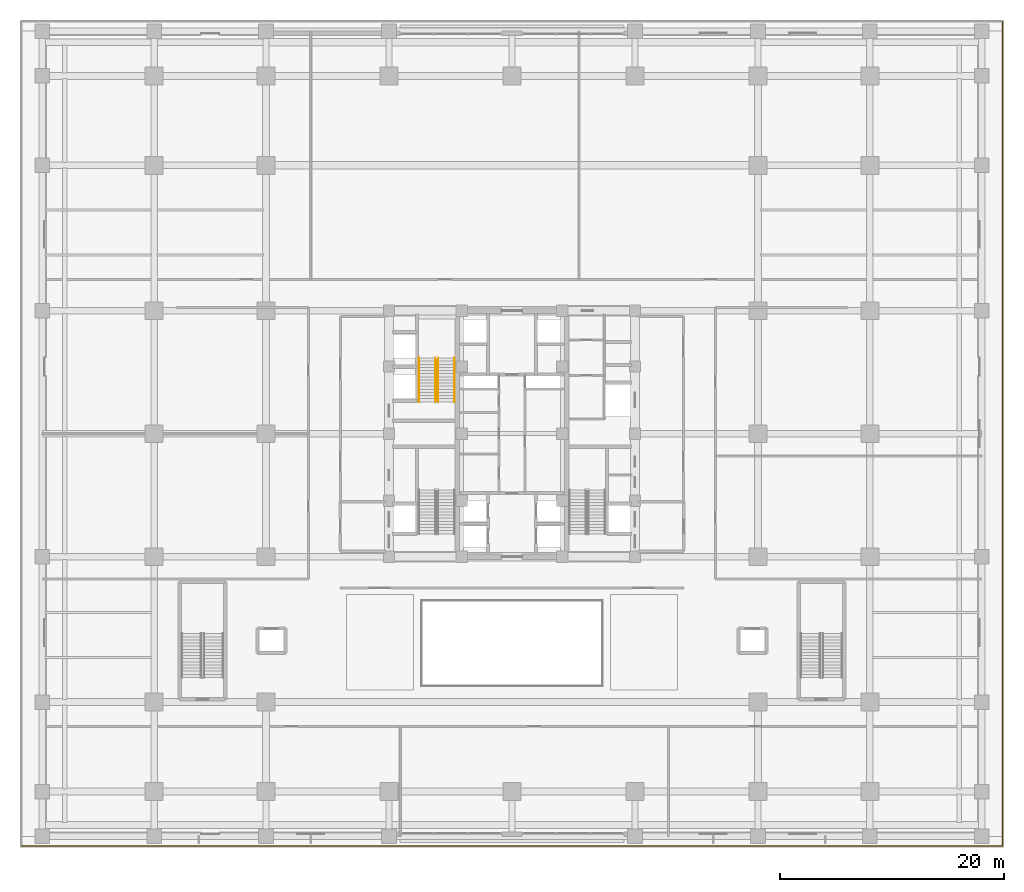
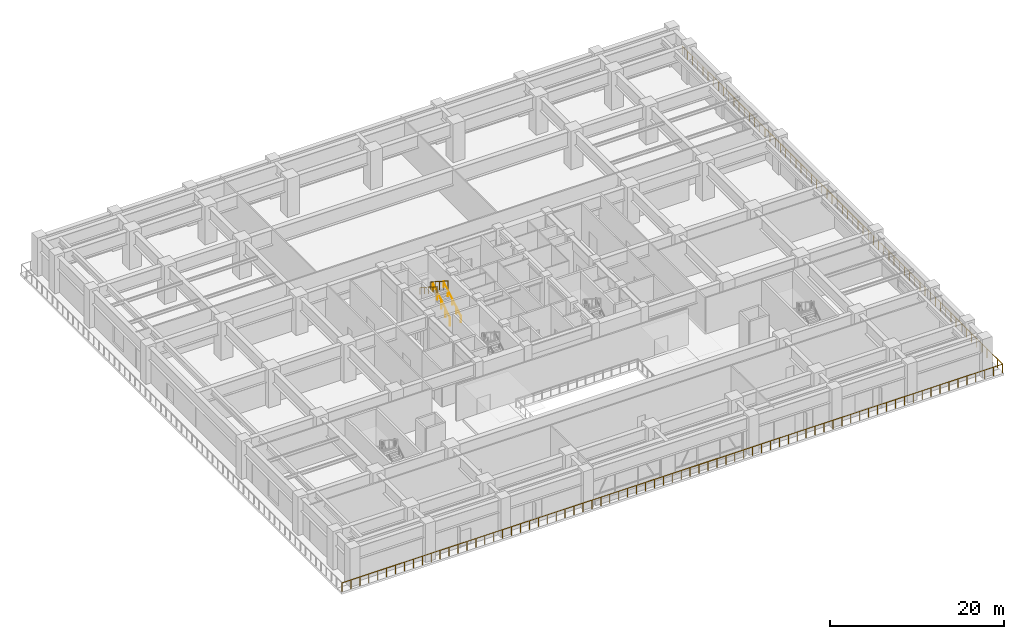
# One storey, part 26 of 28: 5 railings.
"""IFC4 building model written with IfcOpenShell, lengths in metres."""

from ifc_helpers import new_model, si_unit, direction, frame, origin, origin_2d, place, context, subcontext, project, spatial, circle, extrude, source, transform, mapped, material, type_object, element, save


model = new_model("IFC4")

# Units and contexts
model_context = context("Model", 3, precision=1e-05, world=origin(), true_north=direction((0.0, 1.0)))
body_context = subcontext(model_context, "Body", "Model", "MODEL_VIEW")
ifc_project = project(units=[si_unit("LENGTHUNIT", "METRE"), si_unit("AREAUNIT", "SQUARE_METRE"), si_unit("VOLUMEUNIT", "CUBIC_METRE"), si_unit("PLANEANGLEUNIT", "RADIAN"), si_unit("MASSUNIT", "GRAM", prefix="KILO")], contexts=[model_context])

# Site, building, storey
site_placement = place(None, origin())
site = spatial("IfcSite", under=ifc_project, at=site_placement, CompositionType="ELEMENT")
building_placement = place(site_placement, origin())
building = spatial("IfcBuilding", under=site, at=building_placement, Name="Khorayat Bourse Tower", CompositionType="ELEMENT")
storey_placement = place(building_placement, frame((0.0, 0.0, 12.0)))
storey = spatial("IfcBuildingStorey", under=building, at=storey_placement, Name="L02", CompositionType="ELEMENT", Elevation=12.0)

# Railings
ifc_material_1 = material(Name="Laminated glass and bronze balustrade", Category="glass")
railing_type_1 = type_object("IfcRailingType", Name="RLG-TERR-1250", PredefinedType="GUARDRAIL", material=ifc_material_1)
shared_shape_1 = source(origin(), body_context, "Body", "SweptSolid", [
    extrude(circle(Radius=0.02392578125, at=origin_2d()), frame((0.0, 0.0, 1.22607421875), z_axis=(1.0, 0.0, 0.0), x_axis=(0.0, 1.0, 0.0)), (0.0, 0.0, 1.0), 87.759765625),
    extrude(circle(Radius=0.02392578125, at=origin_2d()), frame((87.759765625, 0.0, 1.22607421875), z_axis=(0.0, 1.0, 0.0), x_axis=(-1.0, 0.0, 0.0)), (0.0, 0.0, 1.0), 73.699951171875),
    extrude(circle(Radius=0.02099609375, at=origin_2d()), origin(), (0.0, 0.0, 1.0), 1.201904296875),
    extrude(circle(Radius=0.02099609375, at=origin_2d()), frame((1.18603515625, 0.0, 0.0)), (0.0, 0.0, 1.0), 1.201904296875),
    extrude(circle(Radius=0.02099609375, at=origin_2d()), frame((2.371826171875, 0.0, 0.0)), (0.0, 0.0, 1.0), 1.201904296875),
    extrude(circle(Radius=0.02099609375, at=origin_2d()), frame((3.557861328125, 0.0, 0.0)), (0.0, 0.0, 1.0), 1.201904296875),
    extrude(circle(Radius=0.02099609375, at=origin_2d()), frame((4.74365234375, 0.0, 0.0)), (0.0, 0.0, 1.0), 1.201904296875),
    extrude(circle(Radius=0.02099609375, at=origin_2d()), frame((5.9296875, 0.0, 0.0)), (0.0, 0.0, 1.0), 1.201904296875),
    extrude(circle(Radius=0.02099609375, at=origin_2d()), frame((7.11572265625, 0.0, 0.0)), (0.0, 0.0, 1.0), 1.201904296875),
    extrude(circle(Radius=0.02099609375, at=origin_2d()), frame((8.301513671875, 0.0, 0.0)), (0.0, 0.0, 1.0), 1.201904296875),
    extrude(circle(Radius=0.02099609375, at=origin_2d()), frame((9.487548828125, 0.0, 0.0)), (0.0, 0.0, 1.0), 1.201904296875),
    extrude(circle(Radius=0.02099609375, at=origin_2d()), frame((10.673583984375, 0.0, 0.0)), (0.0, 0.0, 1.0), 1.201904296875),
    extrude(circle(Radius=0.02099609375, at=origin_2d()), frame((11.859375, 0.0, 0.0)), (0.0, 0.0, 1.0), 1.201904296875),
    extrude(circle(Radius=0.02099609375, at=origin_2d()), frame((13.04541015625, 0.0, 0.0)), (0.0, 0.0, 1.0), 1.201904296875),
    extrude(circle(Radius=0.02099609375, at=origin_2d()), frame((14.231201171875, 0.0, 0.0)), (0.0, 0.0, 1.0), 1.201904296875),
    extrude(circle(Radius=0.02099609375, at=origin_2d()), frame((15.417236328125, 0.0, 0.0)), (0.0, 0.0, 1.0), 1.201904296875),
    extrude(circle(Radius=0.02099609375, at=origin_2d()), frame((16.603271484375, 0.0, 0.0)), (0.0, 0.0, 1.0), 1.201904296875),
    extrude(circle(Radius=0.02099609375, at=origin_2d()), frame((17.7890625, 0.0, 0.0)), (0.0, 0.0, 1.0), 1.201904296875),
    extrude(circle(Radius=0.02099609375, at=origin_2d()), frame((18.97509765625, 0.0, 0.0)), (0.0, 0.0, 1.0), 1.201904296875),
    extrude(circle(Radius=0.02099609375, at=origin_2d()), frame((20.1611328125, 0.0, 0.0)), (0.0, 0.0, 1.0), 1.201904296875),
    extrude(circle(Radius=0.02099609375, at=origin_2d()), frame((21.346923828125, 0.0, 0.0)), (0.0, 0.0, 1.0), 1.201904296875),
    extrude(circle(Radius=0.02099609375, at=origin_2d()), frame((22.532958984375, 0.0, 0.0)), (0.0, 0.0, 1.0), 1.201904296875),
    extrude(circle(Radius=0.02099609375, at=origin_2d()), frame((23.71875, 0.0, 0.0)), (0.0, 0.0, 1.0), 1.201904296875),
    extrude(circle(Radius=0.02099609375, at=origin_2d()), frame((24.90478515625, 0.0, 0.0)), (0.0, 0.0, 1.0), 1.201904296875),
    extrude(circle(Radius=0.02099609375, at=origin_2d()), frame((26.0908203125, 0.0, 0.0)), (0.0, 0.0, 1.0), 1.201904296875),
    extrude(circle(Radius=0.02099609375, at=origin_2d()), frame((27.276611328125, 0.0, 0.0)), (0.0, 0.0, 1.0), 1.201904296875),
    extrude(circle(Radius=0.02099609375, at=origin_2d()), frame((28.462646484375, 0.0, 0.0)), (0.0, 0.0, 1.0), 1.201904296875),
    extrude(circle(Radius=0.02099609375, at=origin_2d()), frame((29.648681640625, 0.0, 0.0)), (0.0, 0.0, 1.0), 1.201904296875),
    extrude(circle(Radius=0.02099609375, at=origin_2d()), frame((30.83447265625, 0.0, 0.0)), (0.0, 0.0, 1.0), 1.201904296875),
    extrude(circle(Radius=0.02099609375, at=origin_2d()), frame((32.0205078125, 0.0, 0.0)), (0.0, 0.0, 1.0), 1.201904296875),
    extrude(circle(Radius=0.02099609375, at=origin_2d()), frame((33.206298828125, 0.0, 0.0)), (0.0, 0.0, 1.0), 1.201904296875),
    extrude(circle(Radius=0.02099609375, at=origin_2d()), frame((34.392333984375, 0.0, 0.0)), (0.0, 0.0, 1.0), 1.201904296875),
    extrude(circle(Radius=0.02099609375, at=origin_2d()), frame((35.578369140625, 0.0, 0.0)), (0.0, 0.0, 1.0), 1.201904296875),
    extrude(circle(Radius=0.02099609375, at=origin_2d()), frame((36.76416015625, 0.0, 0.0)), (0.0, 0.0, 1.0), 1.201904296875),
    extrude(circle(Radius=0.02099609375, at=origin_2d()), frame((37.9501953125, 0.0, 0.0)), (0.0, 0.0, 1.0), 1.201904296875),
    extrude(circle(Radius=0.02099609375, at=origin_2d()), frame((39.13623046875, 0.0, 0.0)), (0.0, 0.0, 1.0), 1.201904296875),
    extrude(circle(Radius=0.02099609375, at=origin_2d()), frame((40.322021484375, 0.0, 0.0)), (0.0, 0.0, 1.0), 1.201904296875),
    extrude(circle(Radius=0.02099609375, at=origin_2d()), frame((41.508056640625, 0.0, 0.0)), (0.0, 0.0, 1.0), 1.201904296875),
    extrude(circle(Radius=0.02099609375, at=origin_2d()), frame((42.69384765625, 0.0, 0.0)), (0.0, 0.0, 1.0), 1.201904296875),
    extrude(circle(Radius=0.02099609375, at=origin_2d()), frame((43.8798828125, 0.0, 0.0)), (0.0, 0.0, 1.0), 1.201904296875),
    extrude(circle(Radius=0.02099609375, at=origin_2d()), frame((45.06591796875, 0.0, 0.0)), (0.0, 0.0, 1.0), 1.201904296875),
    extrude(circle(Radius=0.02099609375, at=origin_2d()), frame((46.251708984375, 0.0, 0.0)), (0.0, 0.0, 1.0), 1.201904296875),
    extrude(circle(Radius=0.02099609375, at=origin_2d()), frame((47.437744140625, 0.0, 0.0)), (0.0, 0.0, 1.0), 1.201904296875),
    extrude(circle(Radius=0.02099609375, at=origin_2d()), frame((48.62353515625, 0.0, 0.0)), (0.0, 0.0, 1.0), 1.201904296875),
    extrude(circle(Radius=0.02099609375, at=origin_2d()), frame((49.8095703125, 0.0, 0.0)), (0.0, 0.0, 1.0), 1.201904296875),
    extrude(circle(Radius=0.02099609375, at=origin_2d()), frame((50.99560546875, 0.0, 0.0)), (0.0, 0.0, 1.0), 1.201904296875),
    extrude(circle(Radius=0.02099609375, at=origin_2d()), frame((52.181396484375, 0.0, 0.0)), (0.0, 0.0, 1.0), 1.201904296875),
    extrude(circle(Radius=0.02099609375, at=origin_2d()), frame((53.367431640625, 0.0, 0.0)), (0.0, 0.0, 1.0), 1.201904296875),
    extrude(circle(Radius=0.02099609375, at=origin_2d()), frame((54.553466796875, 0.0, 0.0)), (0.0, 0.0, 1.0), 1.201904296875),
    extrude(circle(Radius=0.02099609375, at=origin_2d()), frame((55.7392578125, 0.0, 0.0)), (0.0, 0.0, 1.0), 1.201904296875),
    extrude(circle(Radius=0.02099609375, at=origin_2d()), frame((56.92529296875, 0.0, 0.0)), (0.0, 0.0, 1.0), 1.201904296875),
    extrude(circle(Radius=0.02099609375, at=origin_2d()), frame((58.111083984375, 0.0, 0.0)), (0.0, 0.0, 1.0), 1.201904296875),
    extrude(circle(Radius=0.02099609375, at=origin_2d()), frame((59.297119140625, 0.0, 0.0)), (0.0, 0.0, 1.0), 1.201904296875),
    extrude(circle(Radius=0.02099609375, at=origin_2d()), frame((60.483154296875, 0.0, 0.0)), (0.0, 0.0, 1.0), 1.201904296875),
    extrude(circle(Radius=0.02099609375, at=origin_2d()), frame((61.6689453125, 0.0, 0.0)), (0.0, 0.0, 1.0), 1.201904296875),
    extrude(circle(Radius=0.02099609375, at=origin_2d()), frame((62.85498046875, 0.0, 0.0)), (0.0, 0.0, 1.0), 1.201904296875),
    extrude(circle(Radius=0.02099609375, at=origin_2d()), frame((64.041015625, 0.0, 0.0)), (0.0, 0.0, 1.0), 1.201904296875),
    extrude(circle(Radius=0.02099609375, at=origin_2d()), frame((65.226806640625, 0.0, 0.0)), (0.0, 0.0, 1.0), 1.201904296875),
    extrude(circle(Radius=0.02099609375, at=origin_2d()), frame((66.412841796875, 0.0, 0.0)), (0.0, 0.0, 1.0), 1.201904296875),
    extrude(circle(Radius=0.02099609375, at=origin_2d()), frame((67.5986328125, 0.0, 0.0)), (0.0, 0.0, 1.0), 1.201904296875),
    extrude(circle(Radius=0.02099609375, at=origin_2d()), frame((68.78466796875, 0.0, 0.0)), (0.0, 0.0, 1.0), 1.201904296875),
    extrude(circle(Radius=0.02099609375, at=origin_2d()), frame((69.970703125, 0.0, 0.0)), (0.0, 0.0, 1.0), 1.201904296875),
    extrude(circle(Radius=0.02099609375, at=origin_2d()), frame((71.156494140625, 0.0, 0.0)), (0.0, 0.0, 1.0), 1.201904296875),
    extrude(circle(Radius=0.02099609375, at=origin_2d()), frame((72.342529296875, 0.0, 0.0)), (0.0, 0.0, 1.0), 1.201904296875),
    extrude(circle(Radius=0.02099609375, at=origin_2d()), frame((73.528564453125, 0.0, 0.0)), (0.0, 0.0, 1.0), 1.201904296875),
    extrude(circle(Radius=0.02099609375, at=origin_2d()), frame((74.71435546875, 0.0, 0.0)), (0.0, 0.0, 1.0), 1.201904296875),
    extrude(circle(Radius=0.02099609375, at=origin_2d()), frame((75.900390625, 0.0, 0.0)), (0.0, 0.0, 1.0), 1.201904296875),
    extrude(circle(Radius=0.02099609375, at=origin_2d()), frame((77.086181640625, 0.0, 0.0)), (0.0, 0.0, 1.0), 1.201904296875),
    extrude(circle(Radius=0.02099609375, at=origin_2d()), frame((78.272216796875, 0.0, 0.0)), (0.0, 0.0, 1.0), 1.201904296875),
    extrude(circle(Radius=0.02099609375, at=origin_2d()), frame((79.458251953125, 0.0, 0.0)), (0.0, 0.0, 1.0), 1.201904296875),
    extrude(circle(Radius=0.02099609375, at=origin_2d()), frame((80.64404296875, 0.0, 0.0)), (0.0, 0.0, 1.0), 1.201904296875),
    extrude(circle(Radius=0.02099609375, at=origin_2d()), frame((81.830078125, 0.0, 0.0)), (0.0, 0.0, 1.0), 1.201904296875),
    extrude(circle(Radius=0.02099609375, at=origin_2d()), frame((83.01611328125, 0.0, 0.0)), (0.0, 0.0, 1.0), 1.201904296875),
    extrude(circle(Radius=0.02099609375, at=origin_2d()), frame((84.201904296875, 0.0, 0.0)), (0.0, 0.0, 1.0), 1.201904296875),
    extrude(circle(Radius=0.02099609375, at=origin_2d()), frame((85.387939453125, 0.0, 0.0)), (0.0, 0.0, 1.0), 1.201904296875),
    extrude(circle(Radius=0.02099609375, at=origin_2d()), frame((86.57373046875, 0.0, 0.0)), (0.0, 0.0, 1.0), 1.201904296875),
    extrude(circle(Radius=0.02099609375, at=origin_2d()), frame((87.759765625, 0.0, 0.0)), (0.0, 0.0, 1.0), 1.201904296875),
    extrude(circle(Radius=0.02099609375, at=origin_2d()), frame((87.759765625, 1.188720703125, 0.0)), (0.0, 0.0, 1.0), 1.201904296875),
    extrude(circle(Radius=0.02099609375, at=origin_2d()), frame((87.759765625, 2.37744140625, 0.0)), (0.0, 0.0, 1.0), 1.201904296875),
    extrude(circle(Radius=0.02099609375, at=origin_2d()), frame((87.759765625, 3.566162109375, 0.0)), (0.0, 0.0, 1.0), 1.201904296875),
    extrude(circle(Radius=0.02099609375, at=origin_2d()), frame((87.759765625, 4.7548828125, 0.0)), (0.0, 0.0, 1.0), 1.201904296875),
    extrude(circle(Radius=0.02099609375, at=origin_2d()), frame((87.759765625, 5.943603515625, 0.0)), (0.0, 0.0, 1.0), 1.201904296875),
    extrude(circle(Radius=0.02099609375, at=origin_2d()), frame((87.759765625, 7.13232421875, 0.0)), (0.0, 0.0, 1.0), 1.201904296875),
    extrude(circle(Radius=0.02099609375, at=origin_2d()), frame((87.759765625, 8.321044921875, 0.0)), (0.0, 0.0, 1.0), 1.201904296875),
    extrude(circle(Radius=0.02099609375, at=origin_2d()), frame((87.759765625, 9.509765625, 0.0)), (0.0, 0.0, 1.0), 1.201904296875),
    extrude(circle(Radius=0.02099609375, at=origin_2d()), frame((87.759765625, 10.698486328125, 0.0)), (0.0, 0.0, 1.0), 1.201904296875),
    extrude(circle(Radius=0.02099609375, at=origin_2d()), frame((87.759765625, 11.88720703125, 0.0)), (0.0, 0.0, 1.0), 1.201904296875),
    extrude(circle(Radius=0.02099609375, at=origin_2d()), frame((87.759765625, 13.07568359375, 0.0)), (0.0, 0.0, 1.0), 1.201904296875),
    extrude(circle(Radius=0.02099609375, at=origin_2d()), frame((87.759765625, 14.264404296875, 0.0)), (0.0, 0.0, 1.0), 1.201904296875),
    extrude(circle(Radius=0.02099609375, at=origin_2d()), frame((87.759765625, 15.453125, 0.0)), (0.0, 0.0, 1.0), 1.201904296875),
    extrude(circle(Radius=0.02099609375, at=origin_2d()), frame((87.759765625, 16.641845703125, 0.0)), (0.0, 0.0, 1.0), 1.201904296875),
    extrude(circle(Radius=0.02099609375, at=origin_2d()), frame((87.759765625, 17.83056640625, 0.0)), (0.0, 0.0, 1.0), 1.201904296875),
    extrude(circle(Radius=0.02099609375, at=origin_2d()), frame((87.759765625, 19.019287109375, 0.0)), (0.0, 0.0, 1.0), 1.201904296875),
    extrude(circle(Radius=0.02099609375, at=origin_2d()), frame((87.759765625, 20.2080078125, 0.0)), (0.0, 0.0, 1.0), 1.201904296875),
    extrude(circle(Radius=0.02099609375, at=origin_2d()), frame((87.759765625, 21.396728515625, 0.0)), (0.0, 0.0, 1.0), 1.201904296875),
    extrude(circle(Radius=0.02099609375, at=origin_2d()), frame((87.759765625, 22.58544921875, 0.0)), (0.0, 0.0, 1.0), 1.201904296875),
    extrude(circle(Radius=0.02099609375, at=origin_2d()), frame((87.759765625, 23.774169921875, 0.0)), (0.0, 0.0, 1.0), 1.201904296875),
    extrude(circle(Radius=0.02099609375, at=origin_2d()), frame((87.759765625, 24.962890625, 0.0)), (0.0, 0.0, 1.0), 1.201904296875),
    extrude(circle(Radius=0.02099609375, at=origin_2d()), frame((87.759765625, 26.151611328125, 0.0)), (0.0, 0.0, 1.0), 1.201904296875),
    extrude(circle(Radius=0.02099609375, at=origin_2d()), frame((87.759765625, 27.34033203125, 0.0)), (0.0, 0.0, 1.0), 1.201904296875),
    extrude(circle(Radius=0.02099609375, at=origin_2d()), frame((87.759765625, 28.529052734375, 0.0)), (0.0, 0.0, 1.0), 1.201904296875),
    extrude(circle(Radius=0.02099609375, at=origin_2d()), frame((87.759765625, 29.7177734375, 0.0)), (0.0, 0.0, 1.0), 1.201904296875),
    extrude(circle(Radius=0.02099609375, at=origin_2d()), frame((87.759765625, 30.906494140625, 0.0)), (0.0, 0.0, 1.0), 1.201904296875),
    extrude(circle(Radius=0.02099609375, at=origin_2d()), frame((87.759765625, 32.09521484375, 0.0)), (0.0, 0.0, 1.0), 1.201904296875),
    extrude(circle(Radius=0.02099609375, at=origin_2d()), frame((87.759765625, 33.283935546875, 0.0)), (0.0, 0.0, 1.0), 1.201904296875),
    extrude(circle(Radius=0.02099609375, at=origin_2d()), frame((87.759765625, 34.47265625, 0.0)), (0.0, 0.0, 1.0), 1.201904296875),
    extrude(circle(Radius=0.02099609375, at=origin_2d()), frame((87.759765625, 35.661376953125, 0.0)), (0.0, 0.0, 1.0), 1.201904296875),
    extrude(circle(Radius=0.02099609375, at=origin_2d()), frame((87.759765625, 36.85009765625, 0.0)), (0.0, 0.0, 1.0), 1.201904296875),
    extrude(circle(Radius=0.02099609375, at=origin_2d()), frame((87.759765625, 38.03857421875, 0.0)), (0.0, 0.0, 1.0), 1.201904296875),
    extrude(circle(Radius=0.02099609375, at=origin_2d()), frame((87.759765625, 39.227294921875, 0.0)), (0.0, 0.0, 1.0), 1.201904296875),
    extrude(circle(Radius=0.02099609375, at=origin_2d()), frame((87.759765625, 40.416015625, 0.0)), (0.0, 0.0, 1.0), 1.201904296875),
    extrude(circle(Radius=0.02099609375, at=origin_2d()), frame((87.759765625, 41.604736328125, 0.0)), (0.0, 0.0, 1.0), 1.201904296875),
    extrude(circle(Radius=0.02099609375, at=origin_2d()), frame((87.759765625, 42.79345703125, 0.0)), (0.0, 0.0, 1.0), 1.201904296875),
    extrude(circle(Radius=0.02099609375, at=origin_2d()), frame((87.759765625, 43.982177734375, 0.0)), (0.0, 0.0, 1.0), 1.201904296875),
    extrude(circle(Radius=0.02099609375, at=origin_2d()), frame((87.759765625, 45.1708984375, 0.0)), (0.0, 0.0, 1.0), 1.201904296875),
    extrude(circle(Radius=0.02099609375, at=origin_2d()), frame((87.759765625, 46.359619140625, 0.0)), (0.0, 0.0, 1.0), 1.201904296875),
    extrude(circle(Radius=0.02099609375, at=origin_2d()), frame((87.759765625, 47.54833984375, 0.0)), (0.0, 0.0, 1.0), 1.201904296875),
    extrude(circle(Radius=0.02099609375, at=origin_2d()), frame((87.759765625, 48.737060546875, 0.0)), (0.0, 0.0, 1.0), 1.201904296875),
    extrude(circle(Radius=0.02099609375, at=origin_2d()), frame((87.759765625, 49.92578125, 0.0)), (0.0, 0.0, 1.0), 1.201904296875),
    extrude(circle(Radius=0.02099609375, at=origin_2d()), frame((87.759765625, 51.114501953125, 0.0)), (0.0, 0.0, 1.0), 1.201904296875),
    extrude(circle(Radius=0.02099609375, at=origin_2d()), frame((87.759765625, 52.30322265625, 0.0)), (0.0, 0.0, 1.0), 1.201904296875),
    extrude(circle(Radius=0.02099609375, at=origin_2d()), frame((87.759765625, 53.491943359375, 0.0)), (0.0, 0.0, 1.0), 1.201904296875),
    extrude(circle(Radius=0.02099609375, at=origin_2d()), frame((87.759765625, 54.6806640625, 0.0)), (0.0, 0.0, 1.0), 1.201904296875),
    extrude(circle(Radius=0.02099609375, at=origin_2d()), frame((87.759765625, 55.869384765625, 0.0)), (0.0, 0.0, 1.0), 1.201904296875),
    extrude(circle(Radius=0.02099609375, at=origin_2d()), frame((87.759765625, 57.05810546875, 0.0)), (0.0, 0.0, 1.0), 1.201904296875),
    extrude(circle(Radius=0.02099609375, at=origin_2d()), frame((87.759765625, 58.246826171875, 0.0)), (0.0, 0.0, 1.0), 1.201904296875),
    extrude(circle(Radius=0.02099609375, at=origin_2d()), frame((87.759765625, 59.435546875, 0.0)), (0.0, 0.0, 1.0), 1.201904296875),
    extrude(circle(Radius=0.02099609375, at=origin_2d()), frame((87.759765625, 60.624267578125, 0.0)), (0.0, 0.0, 1.0), 1.201904296875),
    extrude(circle(Radius=0.02099609375, at=origin_2d()), frame((87.759765625, 61.812744140625, 0.0)), (0.0, 0.0, 1.0), 1.201904296875),
    extrude(circle(Radius=0.02099609375, at=origin_2d()), frame((87.759765625, 63.00146484375, 0.0)), (0.0, 0.0, 1.0), 1.201904296875),
    extrude(circle(Radius=0.02099609375, at=origin_2d()), frame((87.759765625, 64.190185546875, 0.0)), (0.0, 0.0, 1.0), 1.201904296875),
    extrude(circle(Radius=0.02099609375, at=origin_2d()), frame((87.759765625, 65.37890625, 0.0)), (0.0, 0.0, 1.0), 1.201904296875),
    extrude(circle(Radius=0.02099609375, at=origin_2d()), frame((87.759765625, 66.567626953125, 0.0)), (0.0, 0.0, 1.0), 1.201904296875),
    extrude(circle(Radius=0.02099609375, at=origin_2d()), frame((87.759765625, 67.75634765625, 0.0)), (0.0, 0.0, 1.0), 1.201904296875),
    extrude(circle(Radius=0.02099609375, at=origin_2d()), frame((87.759765625, 68.945068359375, 0.0)), (0.0, 0.0, 1.0), 1.201904296875),
    extrude(circle(Radius=0.02099609375, at=origin_2d()), frame((87.759765625, 70.1337890625, 0.0)), (0.0, 0.0, 1.0), 1.201904296875),
    extrude(circle(Radius=0.02099609375, at=origin_2d()), frame((87.759765625, 71.322509765625, 0.0)), (0.0, 0.0, 1.0), 1.201904296875),
    extrude(circle(Radius=0.02099609375, at=origin_2d()), frame((87.759765625, 72.51123046875, 0.0)), (0.0, 0.0, 1.0), 1.201904296875),
    extrude(circle(Radius=0.02099609375, at=origin_2d()), frame((87.759765625, 73.699951171875, 0.0)), (0.0, 0.0, 1.0), 1.201904296875),
])
railing_1_placement = place(storey_placement, frame((-43.8798828125, -36.8798828125, 0.0)))
element("IfcRailing", 1, at=railing_1_placement, inside=storey, type_object=railing_type_1, Name="L02 Cascading Terrace Perimeter Guard SE", PredefinedType="GUARDRAIL", context=body_context, shape_type="MappedRepresentation", body=[
    mapped(shared_shape_1, transform((0.0, 0.0, 0.0), scale=1.0)),
])
ifc_material_2 = material(Name="Powder-coated steel balustrade", Category="steel")
railing_type_2 = type_object("IfcRailingType", Name="RLG-GUARD-1200", PredefinedType="GUARDRAIL", material=ifc_material_2)
shared_shape_2 = source(origin(), body_context, "Body", "SweptSolid", [
    extrude(circle(Radius=0.02392578125, at=origin_2d()), frame((0.0, 0.0, 1.17578125), z_axis=(0.0, 0.841171666519, 0.540768182723), x_axis=(-1.0, 0.0, 0.0)), (0.0, 0.0, 1.0), 4.66015625),
    extrude(circle(Radius=0.02099609375, at=origin_2d()), origin(), (0.0, 0.0, 1.0), 1.15185546875),
    extrude(circle(Radius=0.02099609375, at=origin_2d()), frame((0.0, 0.97998046875, 0.6298828125)), (0.0, 0.0, 1.0), 1.15185546875),
    extrude(circle(Radius=0.02099609375, at=origin_2d()), frame((0.0, 1.9599609375, 1.260009765625)), (0.0, 0.0, 1.0), 1.15185546875),
    extrude(circle(Radius=0.02099609375, at=origin_2d()), frame((0.0, 2.93994140625, 1.89013671875)), (0.0, 0.0, 1.0), 1.15185546875),
    extrude(circle(Radius=0.02099609375, at=origin_2d()), frame((0.0, 3.919921875, 2.52001953125)), (0.0, 0.0, 1.0), 1.15185546875),
])
railing_2_placement = place(storey_placement, frame((-6.60009765625, 2.85009765625, 0.179931640625)))
element("IfcRailing", 2, at=railing_2_placement, inside=storey, type_object=railing_type_2, Name="L02 ST-2 stair guard 1", PredefinedType="GUARDRAIL", context=body_context, shape_type="MappedRepresentation", body=[
    mapped(shared_shape_2, transform((0.0, 0.0, 0.0), scale=1.0)),
])
shared_shape_3 = source(origin(), body_context, "Body", "SweptSolid", [
    extrude(circle(Radius=0.02392578125, at=origin_2d()), frame((0.0, 0.0, 1.17578125), z_axis=(0.0, -0.841171666519, 0.540768182723), x_axis=(1.0, 0.0, 0.0)), (0.0, 0.0, 1.0), 4.66015625),
    extrude(circle(Radius=0.02099609375, at=origin_2d()), origin(), (0.0, 0.0, 1.0), 1.15185546875),
    extrude(circle(Radius=0.02099609375, at=origin_2d()), frame((0.0, -0.97998046875, 0.6298828125)), (0.0, 0.0, 1.0), 1.15185546875),
    extrude(circle(Radius=0.02099609375, at=origin_2d()), frame((0.0, -1.9599609375, 1.260009765625)), (0.0, 0.0, 1.0), 1.15185546875),
    extrude(circle(Radius=0.02099609375, at=origin_2d()), frame((0.0, -2.93994140625, 1.89013671875)), (0.0, 0.0, 1.0), 1.15185546875),
    extrude(circle(Radius=0.02099609375, at=origin_2d()), frame((0.0, -3.919921875, 2.52001953125)), (0.0, 0.0, 1.0), 1.15185546875),
])
railing_3_placement = place(storey_placement, frame((-6.85009765625, 6.77001953125, 2.8798828125)))
element("IfcRailing", 3, at=railing_3_placement, inside=storey, type_object=railing_type_2, Name="L02 ST-2 stair guard 3", PredefinedType="GUARDRAIL", context=body_context, shape_type="MappedRepresentation", body=[
    mapped(shared_shape_3, transform((0.0, 0.0, 0.0), scale=1.0)),
])
ifc_material_3 = material(Name="Brushed bronze stainless-steel handrail", Category="steel")
railing_type_3 = type_object("IfcRailingType", Name="RLG-HAND-900", PredefinedType="HANDRAIL", material=ifc_material_3)
shared_shape_4 = source(origin(), body_context, "Body", "SweptSolid", [
    extrude(circle(Radius=0.02392578125, at=origin_2d()), frame((0.0, 0.0, 0.8759765625), z_axis=(0.0, 0.841171666519, 0.540768182723), x_axis=(-1.0, 0.0, 0.0)), (0.0, 0.0, 1.0), 4.66015625),
    extrude(circle(Radius=0.02099609375, at=origin_2d()), origin(), (0.0, 0.0, 1.0), 0.851806640625),
    extrude(circle(Radius=0.02099609375, at=origin_2d()), frame((0.0, 0.97998046875, 0.6298828125)), (0.0, 0.0, 1.0), 0.851806640625),
    extrude(circle(Radius=0.02099609375, at=origin_2d()), frame((0.0, 1.9599609375, 1.260009765625)), (0.0, 0.0, 1.0), 0.851806640625),
    extrude(circle(Radius=0.02099609375, at=origin_2d()), frame((0.0, 2.93994140625, 1.89013671875)), (0.0, 0.0, 1.0), 0.851806640625),
    extrude(circle(Radius=0.02099609375, at=origin_2d()), frame((0.0, 3.919921875, 2.52001953125)), (0.0, 0.0, 1.0), 0.851806640625),
])
railing_4_placement = place(storey_placement, frame((-5.14990234375, 2.85009765625, 0.179931640625)))
element("IfcRailing", 4, at=railing_4_placement, inside=storey, type_object=railing_type_3, Name="L02 ST-2 stair handrail 1", PredefinedType="HANDRAIL", context=body_context, shape_type="MappedRepresentation", body=[
    mapped(shared_shape_4, transform((0.0, 0.0, 0.0), scale=1.0)),
])
shared_shape_5 = source(origin(), body_context, "Body", "SweptSolid", [
    extrude(circle(Radius=0.02392578125, at=origin_2d()), frame((0.0, 0.0, 0.8759765625), z_axis=(0.0, -0.841171666519, 0.540768182723), x_axis=(1.0, 0.0, 0.0)), (0.0, 0.0, 1.0), 4.66015625),
    extrude(circle(Radius=0.02099609375, at=origin_2d()), origin(), (0.0, 0.0, 1.0), 0.851806640625),
    extrude(circle(Radius=0.02099609375, at=origin_2d()), frame((0.0, -0.97998046875, 0.6298828125)), (0.0, 0.0, 1.0), 0.851806640625),
    extrude(circle(Radius=0.02099609375, at=origin_2d()), frame((0.0, -1.9599609375, 1.260009765625)), (0.0, 0.0, 1.0), 0.851806640625),
    extrude(circle(Radius=0.02099609375, at=origin_2d()), frame((0.0, -2.93994140625, 1.89013671875)), (0.0, 0.0, 1.0), 0.851806640625),
    extrude(circle(Radius=0.02099609375, at=origin_2d()), frame((0.0, -3.919921875, 2.52001953125)), (0.0, 0.0, 1.0), 0.851806640625),
])
railing_5_placement = place(storey_placement, frame((-8.300048828125, 6.77001953125, 2.8798828125)))
element("IfcRailing", 5, at=railing_5_placement, inside=storey, type_object=railing_type_3, Name="L02 ST-2 stair handrail 2", PredefinedType="HANDRAIL", context=body_context, shape_type="MappedRepresentation", body=[
    mapped(shared_shape_5, transform((0.0, 0.0, 0.0), scale=1.0)),
])

save(model, "model.ifc")
